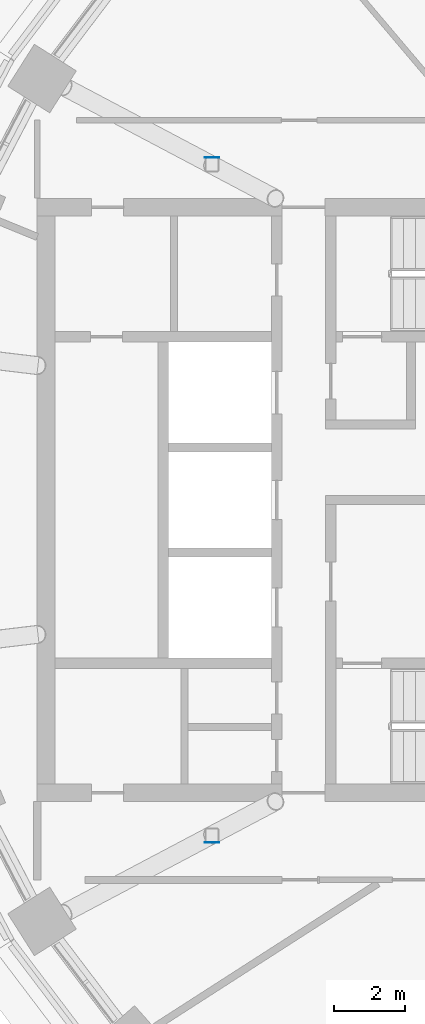
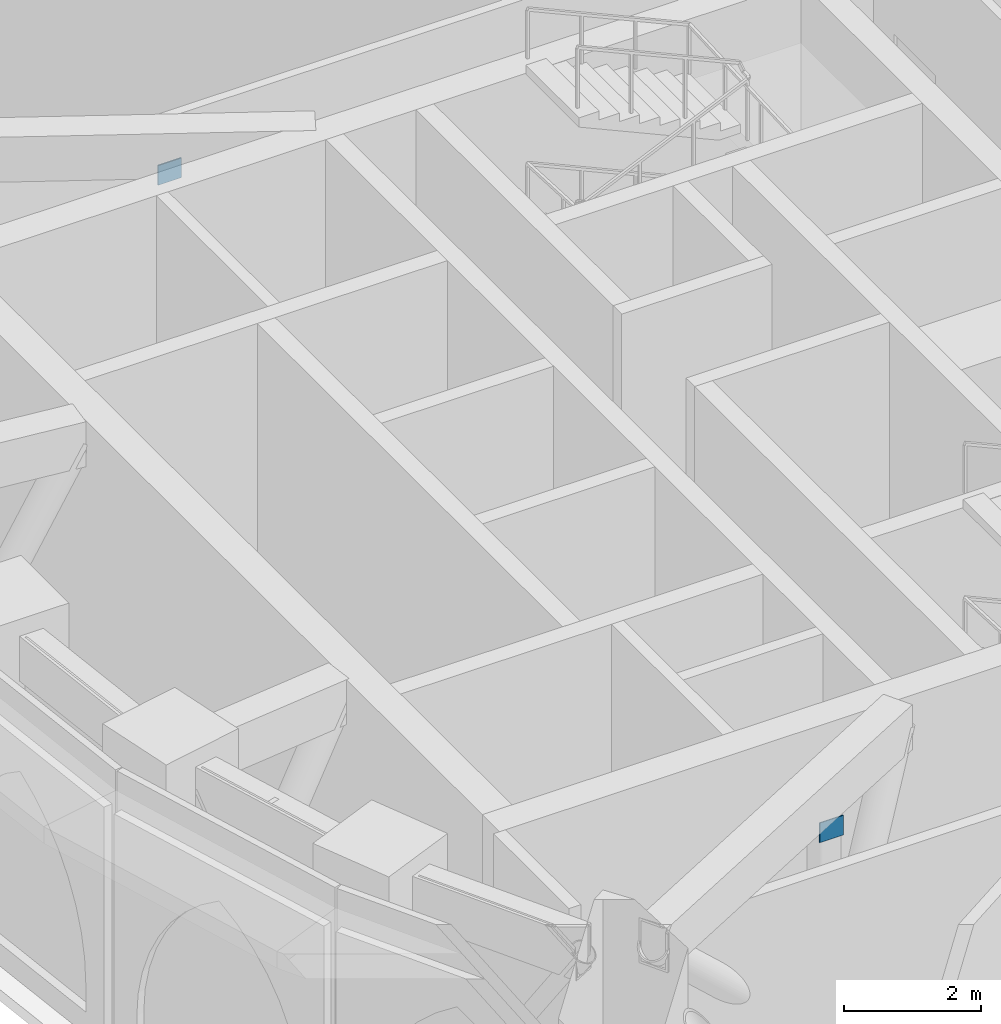
# One storey, part 11 of 25: 2 discrete accessories.
"""IFC4 building model written with IfcOpenShell, lengths in metres."""

from ifc_helpers import new_model, si_unit, direction, frame, origin, origin_2d, place, context, subcontext, project, spatial, rectangle, extrude, material, layer, layer_set, type_object, element, save


model = new_model("IFC4")

# Units and contexts
model_context = context("Model", 3, precision=1e-05, world=origin(), true_north=direction((0.0, 1.0)))
body_context = subcontext(model_context, "Body", "Model", "MODEL_VIEW")
ifc_project = project(units=[si_unit("LENGTHUNIT", "METRE"), si_unit("AREAUNIT", "SQUARE_METRE"), si_unit("VOLUMEUNIT", "CUBIC_METRE"), si_unit("PLANEANGLEUNIT", "RADIAN"), si_unit("MASSUNIT", "GRAM", prefix="KILO")], contexts=[model_context])

# Site, building, storey
site_placement = place(None, origin())
site = spatial("IfcSite", under=ifc_project, at=site_placement, CompositionType="ELEMENT")
building_placement = place(site_placement, origin())
building = spatial("IfcBuilding", under=site, at=building_placement, Name="Noorbagh Ring Tower", CompositionType="ELEMENT")
storey_placement = place(building_placement, frame((0.0, 0.0, 82.5)))
storey = spatial("IfcBuildingStorey", under=building, at=storey_placement, Name="L18", CompositionType="ELEMENT", Elevation=82.5)

# Discrete accessories
ifc_material = material(Name="Steel S355", Category="steel")
ifc_layer = layer(ifc_material, 0.02001953125)
ifc_layer_set = layer_set([ifc_layer], Name="Steel S355")
discrete_accessory_type = type_object("IfcDiscreteAccessoryType", Name="STR-NODE-GUSSET", PredefinedType="BRACKET", material=ifc_layer_set)
for number, where, z_axis, x_axis, name in (
    (1, (-26.577392578125, 9.64794921875, 4.050048828125), (0.0, 0.0, 1.0), (1.0, 0.0, 0.0), "Node gusset plate"),
    (2, (-26.577392578125, -9.64794921875, 4.050048828125), (0.0, 0.0, 1.0), (1.0, 0.0, 0.0), "Node gusset plate"),
):
    element("IfcDiscreteAccessory", number, at=place(storey_placement, frame(where, z_axis=z_axis, x_axis=x_axis)), inside=storey, type_object=discrete_accessory_type, Name=name, PredefinedType="BRACKET", context=body_context, shape_type="SweptSolid", body=[
        extrude(rectangle(XDim=0.39990234375, YDim=0.02001953125, at=origin_2d()), origin(), (0.0, 0.0, 1.0), 0.35009765625),
    ])

save(model, "model.ifc")
